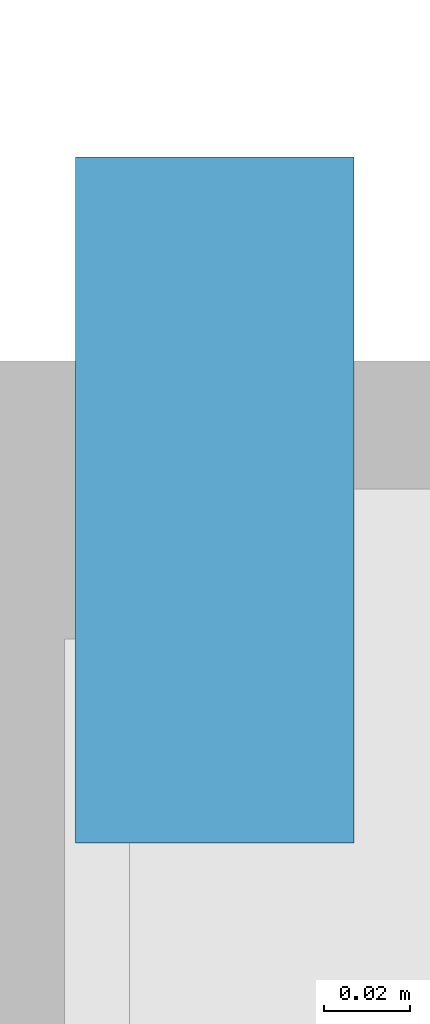
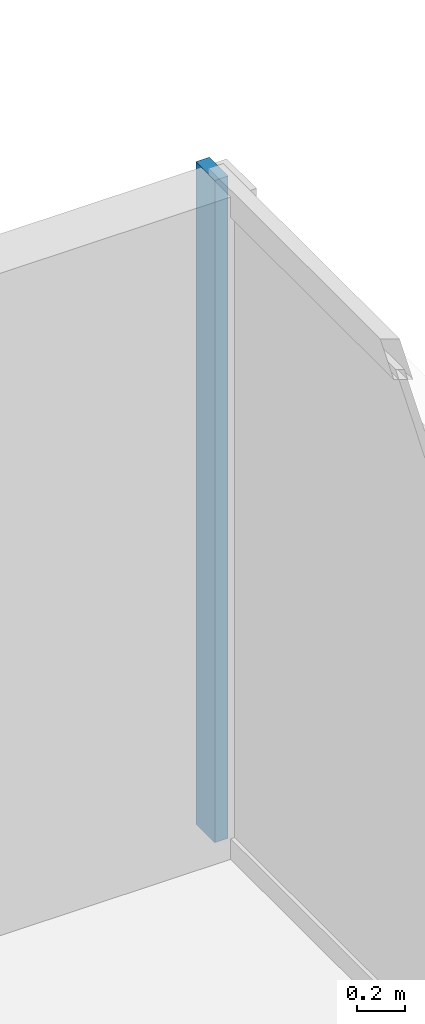
# One storey, part 6 of 14: 1 member, 1 element without a shape of its own.
"""IFC4 building model written with IfcOpenShell, lengths in metres."""

from ifc_helpers import new_model, si_unit, direction, frame, origin, origin_2d, place, context, subcontext, project, spatial, rectangle, extrude, material, layer, layer_set, material_profile, profile_set, type_object, element, aggregate, save


model = new_model("IFC4")

# Units and contexts
model_context = context("Model", 3, precision=1e-05, world=origin(), true_north=direction((0.0, 1.0)))
body_context = subcontext(model_context, "Body", "Model", "MODEL_VIEW")
ifc_project = project(units=[si_unit("LENGTHUNIT", "METRE"), si_unit("AREAUNIT", "SQUARE_METRE"), si_unit("VOLUMEUNIT", "CUBIC_METRE"), si_unit("PLANEANGLEUNIT", "RADIAN"), si_unit("MASSUNIT", "GRAM", prefix="KILO")], contexts=[model_context])

# Site, building, storey
site_placement = place(None, origin())
site = spatial("IfcSite", under=ifc_project, at=site_placement, CompositionType="ELEMENT")
building_placement = place(site_placement, origin())
building = spatial("IfcBuilding", under=site, at=building_placement, Name="Kinhvarn Gate Tower", CompositionType="ELEMENT")
storey_placement = place(building_placement, frame((0.0, 0.0, 259.89990234375)))
storey = spatial("IfcBuildingStorey", under=building, at=storey_placement, Name="L69", CompositionType="ELEMENT", Elevation=259.89990234375)

# Curtain wall, member
ifc_material = material(Name="Anodised aluminium AW-6063", Category="aluminium")
ifc_layer = layer(ifc_material, 0.179931640625)
ifc_layer_set = layer_set([ifc_layer], Name="Anodised aluminium AW-6063")
curtain_wall_type = type_object("IfcCurtainWallType", Name="CW-SYS-3", PredefinedType="NOTDEFINED", material=ifc_layer_set)
curtain_wall_placement = place(storey_placement, origin())
curtain_wall = element("IfcCurtainWall", 1, at=curtain_wall_placement, inside=storey, type_object=curtain_wall_type, Name="Curtain Wall CW3 (L69)", PredefinedType="NOTDEFINED")
ifc_material_profile = material_profile(ifc_material, rectangle(XDim=0.06494140625, YDim=0.159912109375, at=origin_2d()), Name="ALU 65x160")
ifc_profile_set = profile_set([ifc_material_profile], Name="Anodised aluminium AW-6063")
member_type = type_object("IfcMemberType", Name="CW-MUL-160", PredefinedType="MULLION", material=ifc_profile_set)
member_placement = place(storey_placement, frame((44.409912109375, 39.367431640625, 0.0), z_axis=(0.0, 0.0, 1.0), x_axis=(-1.0, 0.0, 0.0)))
member = element("IfcMember", 2, at=member_placement, type_object=member_type, Name="CW3 mullion 7", PredefinedType="MULLION", context=body_context, shape_type="SweptSolid", body=[
    extrude(rectangle(XDim=0.06494140625, YDim=0.159912109375, at=origin_2d()), origin(), (0.0, 0.0, 1.0), 3.39013671875),
])
aggregate(curtain_wall, [member])

save(model, "model.ifc")
